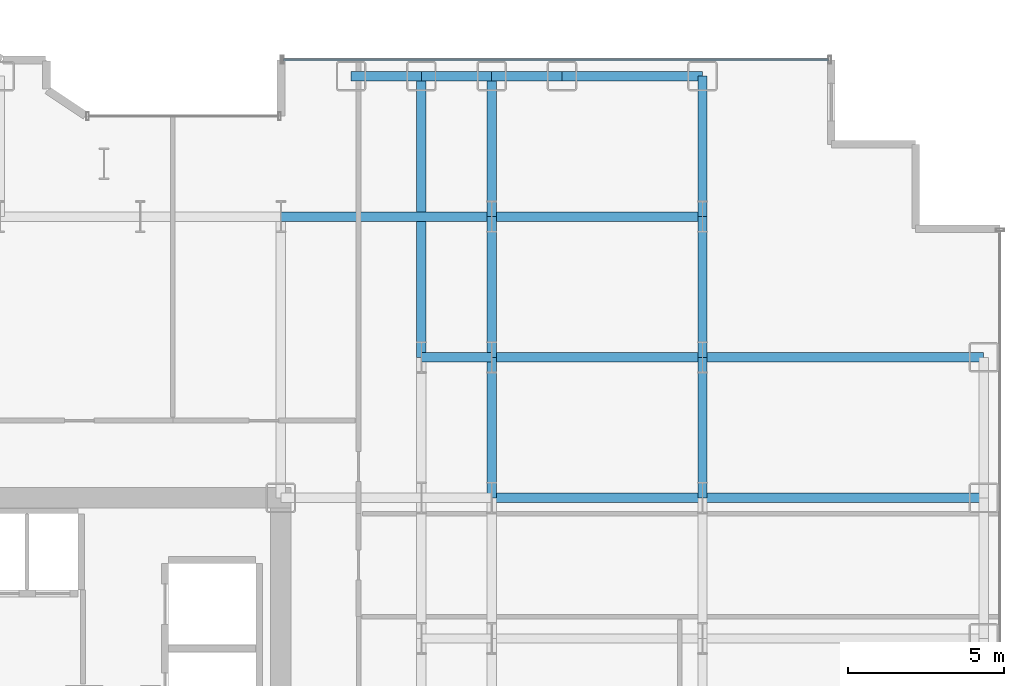
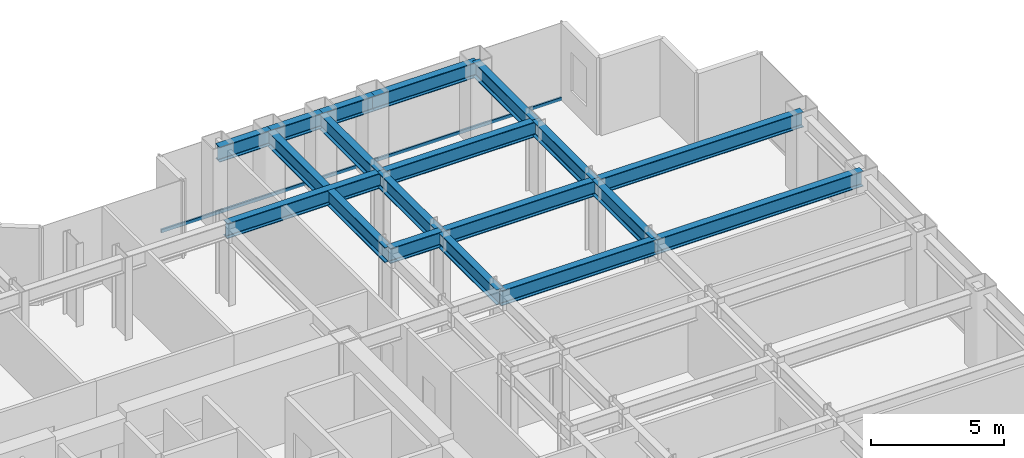
# One storey, part 13 of 26: 18 beams, 1 member, 1 element without a shape of its own.
"""IFC4 building model written with IfcOpenShell, lengths in metres."""

from ifc_helpers import new_model, si_unit, direction, frame, origin, origin_2d, place, context, subcontext, project, spatial, hollow_rectangle, i_section, extrude, source, transform, mapped, material, layer, layer_set, material_profile, profile_set, type_object, element, aggregate, save


model = new_model("IFC4")

# Units and contexts
model_context = context("Model", 3, precision=1e-05, world=origin(), true_north=direction((0.0, 1.0)))
body_context = subcontext(model_context, "Body", "Model", "MODEL_VIEW")
ifc_project = project(units=[si_unit("LENGTHUNIT", "METRE"), si_unit("AREAUNIT", "SQUARE_METRE"), si_unit("VOLUMEUNIT", "CUBIC_METRE"), si_unit("PLANEANGLEUNIT", "RADIAN"), si_unit("MASSUNIT", "GRAM", prefix="KILO")], contexts=[model_context])

# Site, building, storey
site_placement = place(None, origin())
site = spatial("IfcSite", under=ifc_project, at=site_placement, CompositionType="ELEMENT")
building_placement = place(site_placement, origin())
building = spatial("IfcBuilding", under=site, at=building_placement, Name="Nefas-Gora Pilgrimage Tower", CompositionType="ELEMENT")
storey_placement = place(building_placement, frame((0.0, 0.0, 63.39990234375)))
storey = spatial("IfcBuildingStorey", under=building, at=storey_placement, Name="L14", CompositionType="ELEMENT", Elevation=63.39990234375)

# Beams
ifc_material_1 = material(Name="Steel S355", Category="steel")
ifc_material_profile_1 = material_profile(ifc_material_1, i_section(OverallWidth=0.300048828125, OverallDepth=0.699951171875, WebThickness=0.01708984375, FlangeThickness=0.031982421875, FilletRadius=0.027099609375, at=origin_2d()), Name="HEB 700")
ifc_profile_set_1 = profile_set([ifc_material_profile_1], Name="Steel S355")
beam_type_1 = type_object("IfcBeamType", Name="BM-SPN-HEB600", PredefinedType="SPANDREL", material=ifc_profile_set_1)
shared_shape_1 = source(origin(), body_context, "Body", "SweptSolid", [
    extrude(i_section(OverallWidth=0.300048828125, OverallDepth=0.699951171875, WebThickness=0.01708984375, FlangeThickness=0.031982421875, FilletRadius=0.027099609375, at=origin_2d()), origin(), (0.0, 0.0, 1.0), 4.5),
])
beam_1_placement = place(storey_placement, frame((20.25, 22.5, 3.2001953125), z_axis=(1.0, 0.0, 0.0), x_axis=(0.0, 1.0, 0.0)))
element("IfcBeam", 1, at=beam_1_placement, inside=storey, type_object=beam_type_1, Name="L14 SP-01 beam", PredefinedType="SPANDREL", context=body_context, shape_type="MappedRepresentation", body=[
    mapped(shared_shape_1, transform((0.0, 0.0, 0.0), x_axis=(1.0, 0.0, 0.0), y_axis=(0.0, 1.0, 0.0), z_axis=(0.0, 0.0, 1.0), scale=1.0)),
])
ifc_material_profile_2 = material_profile(ifc_material_1, i_section(OverallWidth=0.300048828125, OverallDepth=0.699951171875, WebThickness=0.01708984375, FlangeThickness=0.031982421875, FilletRadius=0.027099609375, at=origin_2d()), Name="HEB 700")
ifc_profile_set_2 = profile_set([ifc_material_profile_2], Name="Steel S355")
beam_type_2 = type_object("IfcBeamType", Name="BM-GIR-HEB700", PredefinedType="BEAM", material=ifc_profile_set_2)
shared_shape_2 = source(origin(), body_context, "Body", "SweptSolid", [
    extrude(i_section(OverallWidth=0.300048828125, OverallDepth=0.699951171875, WebThickness=0.01708984375, FlangeThickness=0.031982421875, FilletRadius=0.027099609375, at=origin_2d()), origin(), (0.0, 0.0, 1.0), 9.0),
])
for number, where, z_axis, x_axis, name in (
    (2, (15.75, 13.5, 3.2001953125), (0.0, 1.0, 0.0), (-1.0, 0.0, 0.0), "L14 G-02 beam"),
    (3, (24.75, 9.0, 3.2001953125), (1.0, 0.0, 0.0), (0.0, 1.0, 0.0), "L14 G-02 beam"),
    (4, (24.75, 13.5, 3.2001953125), (1.0, 0.0, 0.0), (0.0, 1.0, 0.0), "L14 G-02 beam"),
):
    element("IfcBeam", number, at=place(storey_placement, frame(where, z_axis=z_axis, x_axis=x_axis)), inside=storey, type_object=beam_type_2, Name=name, PredefinedType="BEAM", context=body_context, shape_type="MappedRepresentation", body=[
        mapped(shared_shape_2, transform((0.0, 0.0, 0.0), x_axis=(1.0, 0.0, 0.0), y_axis=(0.0, 1.0, 0.0), z_axis=(0.0, 0.0, 1.0), scale=1.0)),
    ])
shared_shape_3 = source(origin(), body_context, "Body", "SweptSolid", [
    extrude(i_section(OverallWidth=0.300048828125, OverallDepth=0.699951171875, WebThickness=0.01708984375, FlangeThickness=0.031982421875, FilletRadius=0.027099609375, at=origin_2d()), origin(), (0.0, 0.0, 1.0), 4.5),
])
for number, where, z_axis, x_axis, name in (
    (5, (18.0, 9.0, 3.2001953125), (0.0, 1.0, 0.0), (-1.0, 0.0, 0.0), "L14 G-02 beam"),
    (6, (18.0, 13.5, 3.2001953125), (0.0, 1.0, 0.0), (-1.0, 0.0, 0.0), "L14 G-02 beam"),
    (7, (18.0, 18.0, 3.2001953125), (0.0, 1.0, 0.0), (-1.0, 0.0, 0.0), "L14 G-02 beam"),
    (8, (24.75, 9.0, 3.2001953125), (0.0, 1.0, 0.0), (-1.0, 0.0, 0.0), "L14 G-02 beam"),
    (9, (24.75, 13.5, 3.2001953125), (0.0, 1.0, 0.0), (-1.0, 0.0, 0.0), "L14 G-02 beam"),
    (10, (24.75, 18.0, 3.2001953125), (0.0, 1.0, 0.0), (-1.0, 0.0, 0.0), "L14 G-02 beam"),
):
    element("IfcBeam", number, at=place(storey_placement, frame(where, z_axis=z_axis, x_axis=x_axis)), inside=storey, type_object=beam_type_2, Name=name, PredefinedType="BEAM", context=body_context, shape_type="MappedRepresentation", body=[
        mapped(shared_shape_3, transform((0.0, 0.0, 0.0), x_axis=(1.0, 0.0, 0.0), y_axis=(0.0, 1.0, 0.0), z_axis=(0.0, 0.0, 1.0), scale=1.0)),
    ])
shared_shape_4 = source(origin(), body_context, "Body", "SweptSolid", [
    extrude(i_section(OverallWidth=0.300048828125, OverallDepth=0.699951171875, WebThickness=0.01708984375, FlangeThickness=0.031982421875, FilletRadius=0.027099609375, at=origin_2d()), origin(), (0.0, 0.0, 1.0), 6.75),
])
for number, where, z_axis, x_axis, name in (
    (11, (11.25, 18.0, 3.2001953125), (1.0, 0.0, 0.0), (0.0, 1.0, 0.0), "L14 G-02 beam"),
    (12, (18.0, 9.0, 3.2001953125), (1.0, 0.0, 0.0), (0.0, 1.0, 0.0), "L14 G-02 beam"),
    (13, (18.0, 13.5, 3.2001953125), (1.0, 0.0, 0.0), (0.0, 1.0, 0.0), "L14 G-02 beam"),
    (14, (18.0, 18.0, 3.2001953125), (1.0, 0.0, 0.0), (0.0, 1.0, 0.0), "L14 G-02 beam"),
):
    element("IfcBeam", number, at=place(storey_placement, frame(where, z_axis=z_axis, x_axis=x_axis)), inside=storey, type_object=beam_type_2, Name=name, PredefinedType="BEAM", context=body_context, shape_type="MappedRepresentation", body=[
        mapped(shared_shape_4, transform((0.0, 0.0, 0.0), x_axis=(1.0, 0.0, 0.0), y_axis=(0.0, 1.0, 0.0), z_axis=(0.0, 0.0, 1.0), scale=1.0)),
    ])
shared_shape_5 = source(origin(), body_context, "Body", "SweptSolid", [
    extrude(i_section(OverallWidth=0.300048828125, OverallDepth=0.699951171875, WebThickness=0.01708984375, FlangeThickness=0.031982421875, FilletRadius=0.027099609375, at=origin_2d()), origin(), (0.0, 0.0, 1.0), 2.25),
])
for number, where, z_axis, x_axis, name in (
    (15, (13.5, 22.5, 3.2001953125), (1.0, 0.0, 0.0), (0.0, 1.0, 0.0), "L14 SP-01 beam"),
    (16, (15.75, 22.5, 3.2001953125), (1.0, 0.0, 0.0), (0.0, 1.0, 0.0), "L14 SP-01 beam"),
    (17, (18.0, 22.5, 3.2001953125), (1.0, 0.0, 0.0), (0.0, 1.0, 0.0), "L14 SP-01 beam"),
):
    element("IfcBeam", number, at=place(storey_placement, frame(where, z_axis=z_axis, x_axis=x_axis)), inside=storey, type_object=beam_type_1, Name=name, PredefinedType="SPANDREL", context=body_context, shape_type="MappedRepresentation", body=[
        mapped(shared_shape_5, transform((0.0, 0.0, 0.0), x_axis=(1.0, 0.0, 0.0), y_axis=(0.0, 1.0, 0.0), z_axis=(0.0, 0.0, 1.0), scale=1.0)),
    ])
shared_shape_6 = source(origin(), body_context, "Body", "SweptSolid", [
    extrude(i_section(OverallWidth=0.300048828125, OverallDepth=0.699951171875, WebThickness=0.01708984375, FlangeThickness=0.031982421875, FilletRadius=0.027099609375, at=origin_2d()), origin(), (0.0, 0.0, 1.0), 2.25),
])
beam_2_placement = place(storey_placement, frame((15.75, 13.5, 3.2001953125), z_axis=(1.0, 0.0, 0.0), x_axis=(0.0, 1.0, 0.0)))
element("IfcBeam", 18, at=beam_2_placement, inside=storey, type_object=beam_type_2, Name="L14 G-02 beam", PredefinedType="BEAM", context=body_context, shape_type="MappedRepresentation", body=[
    mapped(shared_shape_6, transform((0.0, 0.0, 0.0), x_axis=(1.0, 0.0, 0.0), y_axis=(0.0, 1.0, 0.0), z_axis=(0.0, 0.0, 1.0), scale=1.0)),
])

# Curtain wall, member
ifc_material_2 = material(Name="Dark ceramic-fritted solar-control aluminium-glass curtain wall", Category="aluminium")
ifc_layer = layer(ifc_material_2, 0.219970703125)
ifc_layer_set = layer_set([ifc_layer], Name="Dark ceramic-fritted solar-control aluminium-glass curtain wall")
curtain_wall_type = type_object("IfcCurtainWallType", Name="CW-SYS-2", PredefinedType="NOTDEFINED", material=ifc_layer_set)
curtain_wall_placement = place(storey_placement, origin())
curtain_wall = element("IfcCurtainWall", 19, at=curtain_wall_placement, inside=storey, type_object=curtain_wall_type, Name="L14 Unitised Curtain Wall CW2", PredefinedType="NOTDEFINED")
ifc_material_3 = material(Name="Anodised architectural aluminium", Category="aluminium")
ifc_material_profile_3 = material_profile(ifc_material_3, hollow_rectangle(XDim=0.080078125, YDim=0.159912109375, WallThickness=0.00439453125, InnerFilletRadius=0.00439453125, OuterFilletRadius=0.009033203125, at=origin_2d()), Name="ALU TRANSOM 80x160")
ifc_profile_set_3 = profile_set([ifc_material_profile_3], Name="Anodised architectural aluminium")
member_type = type_object("IfcMemberType", Name="CWM-TRN-2", PredefinedType="USERDEFINED", material=ifc_profile_set_3)
shared_shape_7 = source(origin(), body_context, "Body", "SweptSolid", [
    extrude(hollow_rectangle(XDim=0.080078125, YDim=0.159912109375, WallThickness=0.00439453125, InnerFilletRadius=0.00439453125, OuterFilletRadius=0.009033203125, at=origin_2d()), origin(), (0.0, 0.0, 1.0), 17.43994140625),
])
member_placement = place(storey_placement, frame((28.780029296875, 23.02001953125, 0.050048828125), z_axis=(-1.0, 0.0, 0.0), x_axis=(0.0, -1.0, 0.0)))
member = element("IfcMember", 20, at=member_placement, type_object=member_type, Name="CW2 Spandrel Transom", ObjectType="TRANSOM", PredefinedType="USERDEFINED", context=body_context, shape_type="MappedRepresentation", body=[
    mapped(shared_shape_7, transform((0.0, 0.0, 0.0), x_axis=(1.0, 0.0, 0.0), y_axis=(0.0, 1.0, 0.0), z_axis=(0.0, 0.0, 1.0), scale=1.0)),
])
aggregate(curtain_wall, [member])

save(model, "model.ifc")
